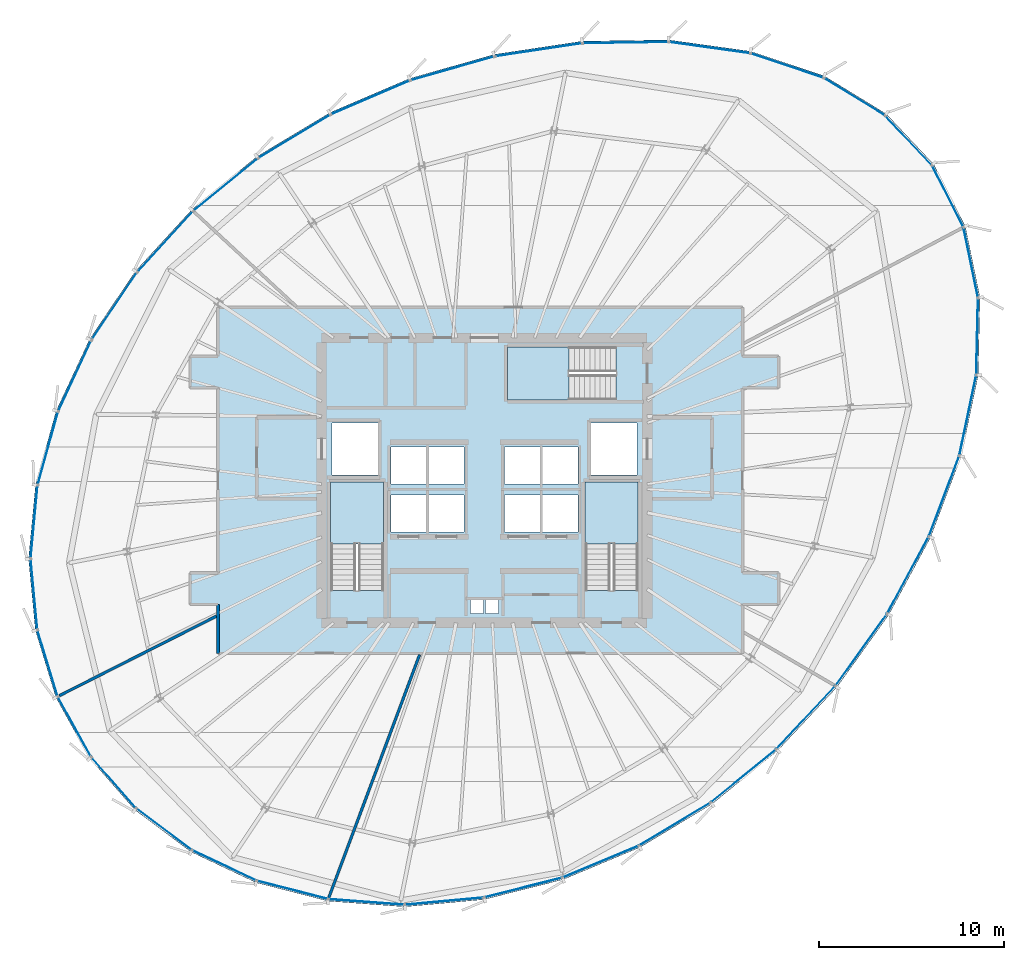
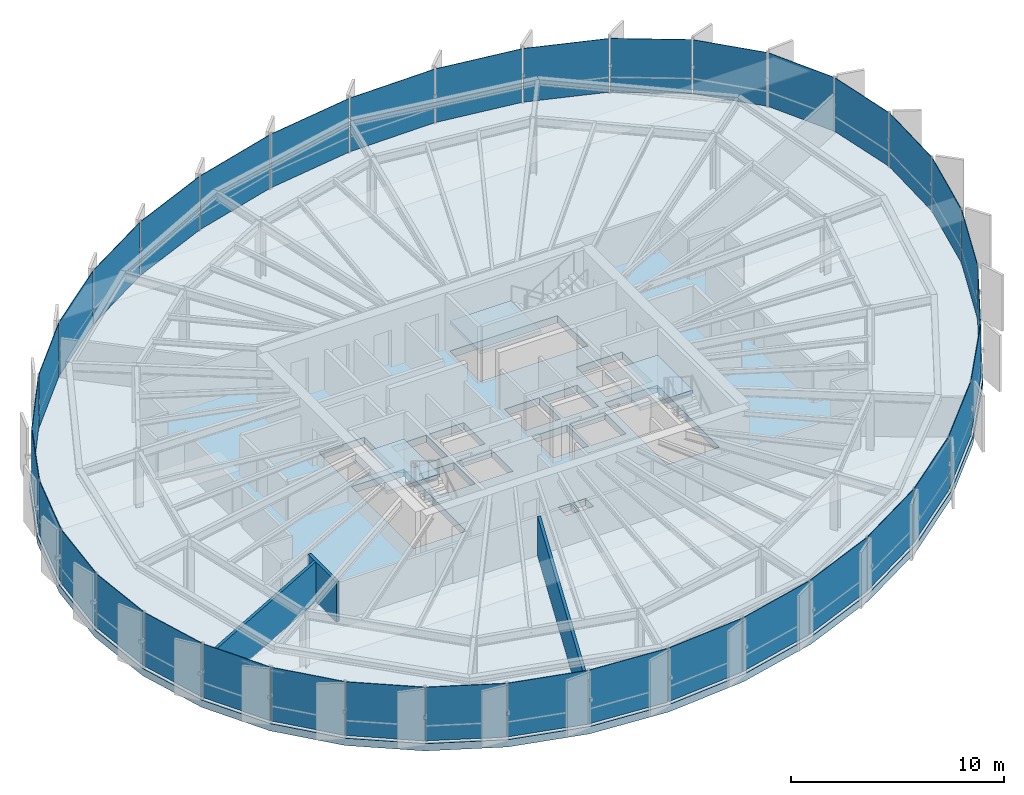
# One storey, part 29 of 36: 36 plates, 4 slabs, 3 walls, 9 elements without a shape of their own.
"""IFC4 building model written with IfcOpenShell, lengths in metres."""

from ifc_helpers import new_model, si_unit, direction, frame, frame_2d, origin, origin_2d, place, context, subcontext, project, spatial, polyline, rectangle, outline, extrude, source, transform, mapped, material, layer, layer_set, type_object, element, aggregate, save


model = new_model("IFC4")

# Units and contexts
model_context = context("Model", 3, precision=1e-05, world=origin(), true_north=direction((0.0, 1.0)))
body_context = subcontext(model_context, "Body", "Model", "MODEL_VIEW")
ifc_project = project(units=[si_unit("LENGTHUNIT", "METRE"), si_unit("AREAUNIT", "SQUARE_METRE"), si_unit("VOLUMEUNIT", "CUBIC_METRE"), si_unit("PLANEANGLEUNIT", "RADIAN"), si_unit("MASSUNIT", "GRAM", prefix="KILO"), si_unit("THERMODYNAMICTEMPERATUREUNIT", "KELVIN")], contexts=[model_context])

# Site, building, storey
site_placement = place(None, origin())
site = spatial("IfcSite", under=ifc_project, at=site_placement, CompositionType="ELEMENT")
building_placement = place(site_placement, origin())
building = spatial("IfcBuilding", under=site, at=building_placement, Name="Kethvar Cultural Tower", CompositionType="ELEMENT")
storey_placement = place(building_placement, frame((0.0, 0.0, 176.39990234375)))
storey = spatial("IfcBuildingStorey", under=building, at=storey_placement, Name="L45", CompositionType="ELEMENT", Elevation=176.39990234375)

# Stair, slab
ifc_material_1 = material(Name="Concrete C40/50", Category="concrete")
stair_type = type_object("IfcStairType", Name="ST-DOGLEG-135", PredefinedType="HALF_TURN_STAIR", material=ifc_material_1)
stair_1_placement = place(storey_placement, origin())
stair_1 = element("IfcStair", 1, at=stair_1_placement, inside=storey, type_object=stair_type, Name="L45 Core Exit Stair 1", PredefinedType="HALF_TURN_STAIR")
ifc_layer_1 = layer(ifc_material_1, 0.199951171875, Name="Concrete C40/50", Category="concrete")
ifc_layer_set_1 = layer_set([ifc_layer_1], Name="Concrete C40/50 (200 mm)")
slab_type_1 = type_object("IfcSlabType", Name="SL-STAIR-LANDING-200", PredefinedType="LANDING", material=ifc_layer_set_1)
slab_1_placement = place(storey_placement, frame((0.0, 0.0, 1.550048828125)))
slab_1 = element("IfcSlab", 2, at=slab_1_placement, type_object=slab_type_1, Name="ST-01 landing 1", PredefinedType="LANDING", context=body_context, shape_type="SweptSolid", body=[
    extrude(outline(polyline([(41.35009765625, 24.3701171875), (41.35009765625, 27.699951171875), (38.489990234375, 27.699951171875), (38.489990234375, 24.3701171875), (41.35009765625, 24.3701171875)])), origin(), (0.0, 0.0, 1.0), 0.199951171875),
])
aggregate(stair_1, [slab_1])

stair_2_placement = place(storey_placement, origin())
stair_2 = element("IfcStair", 3, at=stair_2_placement, inside=storey, type_object=stair_type, Name="L45 Core Exit Stair 2", PredefinedType="HALF_TURN_STAIR")
slab_2_placement = place(storey_placement, frame((0.0, 0.0, 1.550048828125)))
slab_2 = element("IfcSlab", 4, at=slab_2_placement, type_object=slab_type_1, Name="ST-02 landing 1", PredefinedType="LANDING", context=body_context, shape_type="SweptSolid", body=[
    extrude(outline(polyline([(55.110107421875, 24.3701171875), (55.110107421875, 27.699951171875), (52.25, 27.699951171875), (52.25, 24.3701171875), (55.110107421875, 24.3701171875)])), origin(), (0.0, 0.0, 1.0), 0.199951171875),
])
aggregate(stair_2, [slab_2])

stair_3_placement = place(storey_placement, origin())
stair_3 = element("IfcStair", 5, at=stair_3_placement, inside=storey, type_object=stair_type, Name="L45 Core Exit Stair 3", PredefinedType="HALF_TURN_STAIR")
slab_3_placement = place(storey_placement, frame((0.0, 0.0, 1.550048828125)))
slab_3 = element("IfcSlab", 6, at=slab_3_placement, type_object=slab_type_1, Name="ST-03 landing 1", PredefinedType="LANDING", context=body_context, shape_type="SweptSolid", body=[
    extrude(outline(polyline([(51.3798828125, 35.010009765625), (48.050048828125, 35.010009765625), (48.050048828125, 32.14990234375), (51.3798828125, 32.14990234375), (51.3798828125, 35.010009765625)])), origin(), (0.0, 0.0, 1.0), 0.199951171875),
])
aggregate(stair_3, [slab_3])

# Slab
ifc_material_2 = material(Name="Concrete C50/60", Category="concrete")
ifc_layer_2 = layer(ifc_material_2, 0.419921875, Name="Concrete C50/60", Category="concrete")
ifc_layer_set_2 = layer_set([ifc_layer_2], Name="Concrete C50/60 (420 mm)")
slab_type_2 = type_object("IfcSlabType", Name="SL-TRANS-420", PredefinedType="FLOOR", material=ifc_layer_set_2)
slab_4_placement = place(storey_placement, frame((0.0, 0.0, -0.419921875)))
element("IfcSlab", 7, at=slab_4_placement, inside=storey, type_object=slab_type_2, Name="L45 Structural Floor Slab", PredefinedType="FLOOR", context=body_context, shape_type="SweptSolid", body=[
    extrude(outline(polyline([(71.095703125, 44.875244140625), (68.524658203125, 47.60888671875), (65.1767578125, 49.658447265625), (61.195068359375, 50.990966796875), (56.760986328125, 51.608154296875), (52.076416015625, 51.53857421875), (47.343017578125, 50.826171875), (42.74462890625, 49.5205078125), (38.430419921875, 47.668212890625), (34.4990234375, 45.302490234375), (30.978515625, 42.430908203125), (27.938720703125, 39.11474609375), (25.471923828125, 35.454833984375), (23.6533203125, 31.5625), (22.537841796875, 27.5556640625), (22.15966796875, 23.556396484375), (22.5302734375, 19.685791015625), (23.63818359375, 16.06201171875), (25.44970703125, 12.794921875), (27.91015625, 9.9833984375), (30.944580078125, 7.71337890625), (34.460693359375, 6.053955078125), (38.3515625, 5.054931640625), (42.499267578125, 4.747314453125), (46.77783203125, 5.139892578125), (51.056884765625, 6.220947265625), (55.20654296875, 7.9580078125), (59.100830078125, 10.297607421875), (62.658447265625, 13.195068359375), (65.86279296875, 16.626708984375), (68.648681640625, 20.510986328125), (70.92236328125, 24.723388671875), (72.574951171875, 29.107421875), (73.49609375, 33.488525390625), (73.591064453125, 37.68603515625), (72.796630859375, 41.5302734375), (71.095703125, 44.875244140625)]), holes=[polyline([(38.489990234375, 21.85009765625), (38.489990234375, 27.699951171875), (41.35009765625, 27.699951171875), (41.35009765625, 21.85009765625), (38.489990234375, 21.85009765625)]), polyline([(52.25, 21.85009765625), (52.25, 27.699951171875), (55.110107421875, 27.699951171875), (55.110107421875, 21.85009765625), (52.25, 21.85009765625)]), polyline([(53.89990234375, 32.14990234375), (48.050048828125, 32.14990234375), (48.050048828125, 35.010009765625), (53.89990234375, 35.010009765625), (53.89990234375, 32.14990234375)]), polyline([(41.75, 27.0), (43.64990234375, 27.0), (43.64990234375, 25.0), (41.75, 25.0), (41.75, 27.0)]), polyline([(43.800048828125, 27.0), (45.699951171875, 27.0), (45.699951171875, 25.0), (43.800048828125, 25.0), (43.800048828125, 27.0)]), polyline([(47.89990234375, 27.0), (49.800048828125, 27.0), (49.800048828125, 25.0), (47.89990234375, 25.0), (47.89990234375, 27.0)]), polyline([(49.949951171875, 27.0), (51.85009765625, 27.0), (51.85009765625, 25.0), (49.949951171875, 25.0), (49.949951171875, 27.0)]), polyline([(41.75, 29.60009765625), (43.64990234375, 29.60009765625), (43.64990234375, 27.60009765625), (41.75, 27.60009765625), (41.75, 29.60009765625)]), polyline([(43.800048828125, 29.60009765625), (45.699951171875, 29.60009765625), (45.699951171875, 27.60009765625), (43.800048828125, 27.60009765625), (43.800048828125, 29.60009765625)]), polyline([(47.89990234375, 29.60009765625), (49.800048828125, 29.60009765625), (49.800048828125, 27.60009765625), (47.89990234375, 27.60009765625), (47.89990234375, 29.60009765625)]), polyline([(49.949951171875, 29.60009765625), (51.85009765625, 29.60009765625), (51.85009765625, 27.60009765625), (49.949951171875, 27.60009765625), (49.949951171875, 29.60009765625)]), polyline([(38.550048828125, 30.89990234375), (41.050048828125, 30.89990234375), (41.050048828125, 28.10009765625), (38.550048828125, 28.10009765625), (38.550048828125, 30.89990234375)]), polyline([(52.550048828125, 30.89990234375), (55.050048828125, 30.89990234375), (55.050048828125, 28.10009765625), (52.550048828125, 28.10009765625), (52.550048828125, 30.89990234375)]), polyline([(46.050048828125, 21.35009765625), (46.75, 21.35009765625), (46.75, 20.60009765625), (46.050048828125, 20.60009765625), (46.050048828125, 21.35009765625)]), polyline([(46.85009765625, 21.35009765625), (47.550048828125, 21.35009765625), (47.550048828125, 20.60009765625), (46.85009765625, 20.60009765625), (46.85009765625, 21.35009765625)])]), origin(), (0.0, 0.0, 1.0), 0.419921875),
])

# Curtain wall, plate
ifc_material_3 = material(Name="Aluminium 6063-T6", Category="aluminium")
ifc_layer_3 = layer(ifc_material_3, 0.179931640625, Name="Aluminium 6063-T6", Category="aluminium")
ifc_layer_set_3 = layer_set([ifc_layer_3], Name="Aluminium 6063-T6 (180 mm)")
curtain_wall_type = type_object("IfcCurtainWallType", Name="CW-SYS-04-Z34", PredefinedType="NOTDEFINED", material=ifc_layer_set_3)
curtain_wall_1_placement = place(storey_placement, origin())
curtain_wall_1 = element("IfcCurtainWall", 8, at=curtain_wall_1_placement, inside=storey, type_object=curtain_wall_type, Name="L45 Curtain Wall Run 01", PredefinedType="NOTDEFINED")
ifc_material_4 = material(Name="Insulated Low-E Solar Glass", Category="glass")
ifc_layer_4 = layer(ifc_material_4, 0.030029296875, Name="Insulated Low-E Solar Glass", Category="glass")
ifc_layer_set_4 = layer_set([ifc_layer_4], Name="Insulated Low-E Solar Glass (30 mm)")
plate_type = type_object("IfcPlateType", Name="CW-SYS-04-Z34-PNL", PredefinedType="CURTAIN_PANEL", material=ifc_layer_set_4)
shared_shape_1 = source(origin(), body_context, "Body", "SweptSolid", [
    extrude(rectangle(XDim=3.666259765625, YDim=0.030029296875, at=origin_2d()), origin(), (0.0, 0.0, 1.0), 3.080078125),
])
plate_1_placement = place(storey_placement, frame((69.72998046875, 46.166748046875, 0.090087890625), z_axis=(0.0, 0.0, 1.0), x_axis=(-0.68510671174, 0.728442718083, 0.0)))
plate_1 = element("IfcPlate", 9, at=plate_1_placement, type_object=plate_type, Name="CW-L45-R01 Vision Glazing Panel 1", PredefinedType="CURTAIN_PANEL", context=body_context, shape_type="MappedRepresentation", body=[
    mapped(shared_shape_1, transform((0.0, 0.0, 0.0), scale=1.0)),
])

curtain_wall_2_placement = place(storey_placement, origin())
curtain_wall_2 = element("IfcCurtainWall", 10, at=curtain_wall_2_placement, inside=storey, type_object=curtain_wall_type, Name="L45 Curtain Wall Run 06", PredefinedType="NOTDEFINED")
plate_2_placement = place(storey_placement, frame((71.84814453125, 43.15283203125, 0.090087890625), z_axis=(0.0, 0.0, 1.0), x_axis=(-0.453306122049, 0.891354901099, 0.0)))
plate_2 = element("IfcPlate", 11, at=plate_2_placement, type_object=plate_type, Name="CW-L45-R06 Vision Glazing Panel 6", PredefinedType="CURTAIN_PANEL", context=body_context, shape_type="MappedRepresentation", body=[
    mapped(shared_shape_1, transform((0.0, 0.0, 0.0), scale=1.0)),
])

# Plate
shared_shape_2 = source(origin(), body_context, "Body", "SweptSolid", [
    extrude(rectangle(XDim=3.839111328125, YDim=0.030029296875, at=origin_2d()), origin(), (0.0, 0.0, 1.0), 3.080078125),
])
plate_3_placement = place(storey_placement, frame((66.793212890625, 48.539794921875, 0.090087890625), z_axis=(0.0, 0.0, 1.0), x_axis=(-0.852868066189, 0.522126480535, 0.0)))
plate_3 = element("IfcPlate", 12, at=plate_3_placement, type_object=plate_type, Name="CW-L45-R01 Vision Glazing Panel 2", PredefinedType="CURTAIN_PANEL", context=body_context, shape_type="MappedRepresentation", body=[
    mapped(shared_shape_2, transform((0.0, 0.0, 0.0), scale=1.0)),
])

plate_4_placement = place(storey_placement, frame((73.086181640625, 39.5859375, 0.090087890625), z_axis=(0.0, 0.0, 1.0), x_axis=(-0.202342917277, 0.979314731753, 0.0)))
plate_4 = element("IfcPlate", 13, at=plate_4_placement, type_object=plate_type, Name="CW-L45-R06 Vision Glazing Panel 5", PredefinedType="CURTAIN_PANEL", context=body_context, shape_type="MappedRepresentation", body=[
    mapped(shared_shape_2, transform((0.0, 0.0, 0.0), scale=1.0)),
])

shared_shape_3 = source(origin(), body_context, "Body", "SweptSolid", [
    extrude(rectangle(XDim=4.1123046875, YDim=0.030029296875, at=origin_2d()), origin(), (0.0, 0.0, 1.0), 3.080078125),
])
plate_5_placement = place(storey_placement, frame((63.15087890625, 50.22021484375, 0.090087890625), z_axis=(0.0, 0.0, 1.0), x_axis=(-0.948301500851, 0.317370861112, 0.0)))
plate_5 = element("IfcPlate", 14, at=plate_5_placement, type_object=plate_type, Name="CW-L45-R01 Vision Glazing Panel 3", PredefinedType="CURTAIN_PANEL", context=body_context, shape_type="MappedRepresentation", body=[
    mapped(shared_shape_3, transform((0.0, 0.0, 0.0), scale=1.0)),
])

plate_6_placement = place(storey_placement, frame((73.43359375, 35.589599609375, 0.090087890625), z_axis=(0.0, 0.0, 1.0), x_axis=(0.022634987141, 0.999743795858, 0.0)))
plate_6 = element("IfcPlate", 15, at=plate_6_placement, type_object=plate_type, Name="CW-L45-R06 Vision Glazing Panel 4", PredefinedType="CURTAIN_PANEL", context=body_context, shape_type="MappedRepresentation", body=[
    mapped(shared_shape_3, transform((0.0, 0.0, 0.0), scale=1.0)),
])

shared_shape_4 = source(origin(), body_context, "Body", "SweptSolid", [
    extrude(rectangle(XDim=4.390380859375, YDim=0.030029296875, at=origin_2d()), origin(), (0.0, 0.0, 1.0), 3.080078125),
])
plate_7_placement = place(storey_placement, frame((58.962890625, 51.190673828125, 0.090087890625), z_axis=(0.0, 0.0, 1.0), x_axis=(-0.9904469909, 0.137894010807, 0.0)))
plate_7 = element("IfcPlate", 16, at=plate_7_placement, type_object=plate_type, Name="CW-L45-R01 Vision Glazing Panel 4", PredefinedType="CURTAIN_PANEL", context=body_context, shape_type="MappedRepresentation", body=[
    mapped(shared_shape_4, transform((0.0, 0.0, 0.0), scale=1.0)),
])

plate_8_placement = place(storey_placement, frame((72.927734375, 31.32080078125, 0.090087890625), z_axis=(0.0, 0.0, 1.0), x_axis=(0.205743051022, 0.978606047884, 0.0)))
plate_8 = element("IfcPlate", 17, at=plate_8_placement, type_object=plate_type, Name="CW-L45-R06 Vision Glazing Panel 3", PredefinedType="CURTAIN_PANEL", context=body_context, shape_type="MappedRepresentation", body=[
    mapped(shared_shape_4, transform((0.0, 0.0, 0.0), scale=1.0)),
])

shared_shape_5 = source(origin(), body_context, "Body", "SweptSolid", [
    extrude(rectangle(XDim=4.598876953125, YDim=0.030029296875, at=origin_2d()), origin(), (0.0, 0.0, 1.0), 3.080078125),
])
plate_9_placement = place(storey_placement, frame((54.42041015625, 51.46337890625, 0.090087890625), z_axis=(0.0, 0.0, 1.0), x_axis=(-0.999889440536, -0.014869657209, 0.0)))
plate_9 = element("IfcPlate", 18, at=plate_9_placement, type_object=plate_type, Name="CW-L45-R01 Vision Glazing Panel 5", PredefinedType="CURTAIN_PANEL", context=body_context, shape_type="MappedRepresentation", body=[
    mapped(shared_shape_5, transform((0.0, 0.0, 0.0), scale=1.0)),
])

plate_10_placement = place(storey_placement, frame((71.645751953125, 26.9541015625, 0.090087890625), z_axis=(0.0, 0.0, 1.0), x_axis=(0.352707375758, 0.93573367316, 0.0)))
plate_10 = element("IfcPlate", 19, at=plate_10_placement, type_object=plate_type, Name="CW-L45-R06 Vision Glazing Panel 2", PredefinedType="CURTAIN_PANEL", context=body_context, shape_type="MappedRepresentation", body=[
    mapped(shared_shape_5, transform((0.0, 0.0, 0.0), scale=1.0)),
])

shared_shape_6 = source(origin(), body_context, "Body", "SweptSolid", [
    extrude(rectangle(XDim=4.7001953125, YDim=0.030029296875, at=origin_2d()), origin(), (0.0, 0.0, 1.0), 3.080078125),
])
plate_11_placement = place(storey_placement, frame((49.72607421875, 51.073486328125, 0.090087890625), z_axis=(0.0, 0.0, 1.0), x_axis=(-0.988863133133, -0.14882776599, 0.0)))
plate_11 = element("IfcPlate", 20, at=plate_11_placement, type_object=plate_type, Name="CW-L45-R01 Vision Glazing Panel 6", PredefinedType="CURTAIN_PANEL", context=body_context, shape_type="MappedRepresentation", body=[
    mapped(shared_shape_6, transform((0.0, 0.0, 0.0), scale=1.0)),
])

aggregate(curtain_wall_1, [plate_1, plate_3, plate_5, plate_7, plate_9, plate_11])

plate_12_placement = place(storey_placement, frame((69.688720703125, 22.66943359375, 0.090087890625), z_axis=(0.0, 0.0, 1.0), x_axis=(0.474994624031, 0.879988697167, 0.0)))
plate_12 = element("IfcPlate", 21, at=plate_12_placement, type_object=plate_type, Name="CW-L45-R06 Vision Glazing Panel 1", PredefinedType="CURTAIN_PANEL", context=body_context, shape_type="MappedRepresentation", body=[
    mapped(shared_shape_6, transform((0.0, 0.0, 0.0), scale=1.0)),
])

aggregate(curtain_wall_2, [plate_12, plate_10, plate_8, plate_6, plate_4, plate_2])

# Curtain wall, plate
curtain_wall_3_placement = place(storey_placement, origin())
curtain_wall_3 = element("IfcCurtainWall", 22, at=curtain_wall_3_placement, inside=storey, type_object=curtain_wall_type, Name="L45 Curtain Wall Run 02", PredefinedType="NOTDEFINED")
shared_shape_7 = source(origin(), body_context, "Body", "SweptSolid", [
    extrude(rectangle(XDim=4.693603515625, YDim=0.030029296875, at=origin_2d()), origin(), (0.0, 0.0, 1.0), 3.080078125),
])
plate_13_placement = place(storey_placement, frame((45.073974609375, 50.0673828125, 0.090087890625), z_axis=(0.0, 0.0, 1.0), x_axis=(-0.961980017834, -0.273119836863, 0.0)))
plate_13 = element("IfcPlate", 23, at=plate_13_placement, type_object=plate_type, Name="CW-L45-R02 Vision Glazing Panel 1", PredefinedType="CURTAIN_PANEL", context=body_context, shape_type="MappedRepresentation", body=[
    mapped(shared_shape_7, transform((0.0, 0.0, 0.0), scale=1.0)),
])

curtain_wall_4_placement = place(storey_placement, origin())
curtain_wall_4 = element("IfcCurtainWall", 24, at=curtain_wall_4_placement, inside=storey, type_object=curtain_wall_type, Name="L45 Curtain Wall Run 05", PredefinedType="NOTDEFINED")
plate_14_placement = place(storey_placement, frame((67.166259765625, 18.633056640625, 0.090087890625), z_axis=(0.0, 0.0, 1.0), x_axis=(0.582832312683, 0.812592453382, 0.0)))
plate_14 = element("IfcPlate", 25, at=plate_14_placement, type_object=plate_type, Name="CW-L45-R05 Vision Glazing Panel 6", PredefinedType="CURTAIN_PANEL", context=body_context, shape_type="MappedRepresentation", body=[
    mapped(shared_shape_7, transform((0.0, 0.0, 0.0), scale=1.0)),
])

# Plate
shared_shape_8 = source(origin(), body_context, "Body", "SweptSolid", [
    extrude(rectangle(XDim=4.60888671875, YDim=0.030029296875, at=origin_2d()), origin(), (0.0, 0.0, 1.0), 3.080078125),
])
plate_15_placement = place(storey_placement, frame((40.630859375, 48.493408203125, 0.090087890625), z_axis=(0.0, 0.0, 1.0), x_axis=(-0.918873864957, -0.394551416547, 0.0)))
plate_15 = element("IfcPlate", 26, at=plate_15_placement, type_object=plate_type, Name="CW-L45-R02 Vision Glazing Panel 2", PredefinedType="CURTAIN_PANEL", context=body_context, shape_type="MappedRepresentation", body=[
    mapped(shared_shape_8, transform((0.0, 0.0, 0.0), scale=1.0)),
])

shared_shape_9 = source(origin(), body_context, "Body", "SweptSolid", [
    extrude(rectangle(XDim=4.501953125, YDim=0.030029296875, at=origin_2d()), origin(), (0.0, 0.0, 1.0), 3.080078125),
])
plate_16_placement = place(storey_placement, frame((36.521484375, 46.39111328125, 0.090087890625), z_axis=(0.0, 0.0, 1.0), x_axis=(-0.85682552602, -0.515606456476, 0.0)))
plate_16 = element("IfcPlate", 27, at=plate_16_placement, type_object=plate_type, Name="CW-L45-R02 Vision Glazing Panel 3", PredefinedType="CURTAIN_PANEL", context=body_context, shape_type="MappedRepresentation", body=[
    mapped(shared_shape_9, transform((0.0, 0.0, 0.0), scale=1.0)),
])

shared_shape_10 = source(origin(), body_context, "Body", "SweptSolid", [
    extrude(rectangle(XDim=4.456787109375, YDim=0.030029296875, at=origin_2d()), origin(), (0.0, 0.0, 1.0), 3.080078125),
])
plate_17_placement = place(storey_placement, frame((32.808349609375, 43.781494140625, 0.090087890625), z_axis=(0.0, 0.0, 1.0), x_axis=(-0.774922426247, -0.632056352945, 0.0)))
plate_17 = element("IfcPlate", 28, at=plate_17_placement, type_object=plate_type, Name="CW-L45-R02 Vision Glazing Panel 4", PredefinedType="CURTAIN_PANEL", context=body_context, shape_type="MappedRepresentation", body=[
    mapped(shared_shape_10, transform((0.0, 0.0, 0.0), scale=1.0)),
])

plate_18_placement = place(storey_placement, frame((57.09716796875, 9.221923828125, 0.090087890625), z_axis=(0.0, 0.0, 1.0), x_axis=(0.857194266858, 0.514993193029, 0.0)))
plate_18 = element("IfcPlate", 29, at=plate_18_placement, type_object=plate_type, Name="CW-L45-R05 Vision Glazing Panel 3", PredefinedType="CURTAIN_PANEL", context=body_context, shape_type="MappedRepresentation", body=[
    mapped(shared_shape_10, transform((0.0, 0.0, 0.0), scale=1.0)),
])

shared_shape_11 = source(origin(), body_context, "Body", "SweptSolid", [
    extrude(rectangle(XDim=4.412109375, YDim=0.030029296875, at=origin_2d()), origin(), (0.0, 0.0, 1.0), 3.080078125),
])
plate_19_placement = place(storey_placement, frame((29.539794921875, 40.698486328125, 0.090087890625), z_axis=(0.0, 0.0, 1.0), x_axis=(-0.675731742251, -0.737147619215, 0.0)))
plate_19 = element("IfcPlate", 30, at=plate_19_placement, type_object=plate_type, Name="CW-L45-R02 Vision Glazing Panel 5", PredefinedType="CURTAIN_PANEL", context=body_context, shape_type="MappedRepresentation", body=[
    mapped(shared_shape_11, transform((0.0, 0.0, 0.0), scale=1.0)),
])

shared_shape_12 = source(origin(), body_context, "Body", "SweptSolid", [
    extrude(rectangle(XDim=4.3271484375, YDim=0.030029296875, at=origin_2d()), origin(), (0.0, 0.0, 1.0), 3.080078125),
])
plate_20_placement = place(storey_placement, frame((26.796630859375, 37.223388671875, 0.090087890625), z_axis=(0.0, 0.0, 1.0), x_axis=(-0.558889007777, -0.829242471769, 0.0)))
plate_20 = element("IfcPlate", 31, at=plate_20_placement, type_object=plate_type, Name="CW-L45-R02 Vision Glazing Panel 6", PredefinedType="CURTAIN_PANEL", context=body_context, shape_type="MappedRepresentation", body=[
    mapped(shared_shape_12, transform((0.0, 0.0, 0.0), scale=1.0)),
])

aggregate(curtain_wall_3, [plate_13, plate_15, plate_16, plate_17, plate_19, plate_20])

plate_21_placement = place(storey_placement, frame((48.890380859375, 5.787109375, 0.090087890625), z_axis=(0.0, 0.0, 1.0), x_axis=(0.96953519463, 0.244952049131, 0.0)))
plate_21 = element("IfcPlate", 32, at=plate_21_placement, type_object=plate_type, Name="CW-L45-R05 Vision Glazing Panel 1", PredefinedType="CURTAIN_PANEL", context=body_context, shape_type="MappedRepresentation", body=[
    mapped(shared_shape_12, transform((0.0, 0.0, 0.0), scale=1.0)),
])

# Curtain wall, plate
curtain_wall_5_placement = place(storey_placement, origin())
curtain_wall_5 = element("IfcCurtainWall", 33, at=curtain_wall_5_placement, inside=storey, type_object=curtain_wall_type, Name="L45 Curtain Wall Run 03", PredefinedType="NOTDEFINED")
shared_shape_13 = source(origin(), body_context, "Body", "SweptSolid", [
    extrude(rectangle(XDim=4.2099609375, YDim=0.030029296875, at=origin_2d()), origin(), (0.0, 0.0, 1.0), 3.080078125),
])
plate_22_placement = place(storey_placement, frame((24.662353515625, 33.462158203125, 0.090087890625), z_axis=(0.0, 0.0, 1.0), x_axis=(-0.423314131471, -0.905982972299, 0.0)))
plate_22 = element("IfcPlate", 34, at=plate_22_placement, type_object=plate_type, Name="CW-L45-R03 Vision Glazing Panel 1", PredefinedType="CURTAIN_PANEL", context=body_context, shape_type="MappedRepresentation", body=[
    mapped(shared_shape_13, transform((0.0, 0.0, 0.0), scale=1.0)),
])

curtain_wall_6_placement = place(storey_placement, origin())
curtain_wall_6 = element("IfcCurtainWall", 35, at=curtain_wall_6_placement, inside=storey, type_object=curtain_wall_type, Name="L45 Curtain Wall Run 04", PredefinedType="NOTDEFINED")
plate_23_placement = place(storey_placement, frame((44.62841796875, 5.052978515625, 0.090087890625), z_axis=(0.0, 0.0, 1.0), x_axis=(0.995814504142, 0.091397337714, 0.0)))
plate_23 = element("IfcPlate", 36, at=plate_23_placement, type_object=plate_type, Name="CW-L45-R04 Vision Glazing Panel 6", PredefinedType="CURTAIN_PANEL", context=body_context, shape_type="MappedRepresentation", body=[
    mapped(shared_shape_13, transform((0.0, 0.0, 0.0), scale=1.0)),
])

# Plate
shared_shape_14 = source(origin(), body_context, "Body", "SweptSolid", [
    extrude(rectangle(XDim=4.07275390625, YDim=0.030029296875, at=origin_2d()), origin(), (0.0, 0.0, 1.0), 3.080078125),
])
plate_24_placement = place(storey_placement, frame((23.20166015625, 29.529541015625, 0.090087890625), z_axis=(0.0, 0.0, 1.0), x_axis=(-0.268180085639, -0.963368798367, 0.0)))
plate_24 = element("IfcPlate", 37, at=plate_24_placement, type_object=plate_type, Name="CW-L45-R03 Vision Glazing Panel 2", PredefinedType="CURTAIN_PANEL", context=body_context, shape_type="MappedRepresentation", body=[
    mapped(shared_shape_14, transform((0.0, 0.0, 0.0), scale=1.0)),
])

plate_25_placement = place(storey_placement, frame((40.43359375, 5.0107421875, 0.090087890625), z_axis=(0.0, 0.0, 1.0), x_axis=(0.997257940254, -0.074004057994, 0.0)))
plate_25 = element("IfcPlate", 38, at=plate_25_placement, type_object=plate_type, Name="CW-L45-R04 Vision Glazing Panel 5", PredefinedType="CURTAIN_PANEL", context=body_context, shape_type="MappedRepresentation", body=[
    mapped(shared_shape_14, transform((0.0, 0.0, 0.0), scale=1.0)),
])

shared_shape_15 = source(origin(), body_context, "Body", "SweptSolid", [
    extrude(rectangle(XDim=3.930908203125, YDim=0.030029296875, at=origin_2d()), origin(), (0.0, 0.0, 1.0), 3.080078125),
])
plate_26_placement = place(storey_placement, frame((22.458251953125, 25.545654296875, 0.090087890625), z_axis=(0.0, 0.0, 1.0), x_axis=(-0.09414306493, -0.995558678997, 0.0)))
plate_26 = element("IfcPlate", 39, at=plate_26_placement, type_object=plate_type, Name="CW-L45-R03 Vision Glazing Panel 3", PredefinedType="CURTAIN_PANEL", context=body_context, shape_type="MappedRepresentation", body=[
    mapped(shared_shape_15, transform((0.0, 0.0, 0.0), scale=1.0)),
])

plate_27_placement = place(storey_placement, frame((36.43359375, 5.660888671875, 0.090087890625), z_axis=(0.0, 0.0, 1.0), x_axis=(0.968591841453, -0.248656077083, 0.0)))
plate_27 = element("IfcPlate", 40, at=plate_27_placement, type_object=plate_type, Name="CW-L45-R04 Vision Glazing Panel 4", PredefinedType="CURTAIN_PANEL", context=body_context, shape_type="MappedRepresentation", body=[
    mapped(shared_shape_15, transform((0.0, 0.0, 0.0), scale=1.0)),
])

shared_shape_16 = source(origin(), body_context, "Body", "SweptSolid", [
    extrude(rectangle(XDim=3.8017578125, YDim=0.030029296875, at=origin_2d()), origin(), (0.0, 0.0, 1.0), 3.080078125),
])
plate_28_placement = place(storey_placement, frame((22.45458984375, 21.631591796875, 0.090087890625), z_axis=(0.0, 0.0, 1.0), x_axis=(0.095289803488, -0.995449573485, 0.0)))
plate_28 = element("IfcPlate", 41, at=plate_28_placement, type_object=plate_type, Name="CW-L45-R03 Vision Glazing Panel 4", PredefinedType="CURTAIN_PANEL", context=body_context, shape_type="MappedRepresentation", body=[
    mapped(shared_shape_16, transform((0.0, 0.0, 0.0), scale=1.0)),
])

plate_29_placement = place(storey_placement, frame((32.74951171875, 6.983154296875, 0.090087890625), z_axis=(0.0, 0.0, 1.0), x_axis=(0.904328540152, -0.426837078365, 0.0)))
plate_29 = element("IfcPlate", 42, at=plate_29_placement, type_object=plate_type, Name="CW-L45-R04 Vision Glazing Panel 3", PredefinedType="CURTAIN_PANEL", context=body_context, shape_type="MappedRepresentation", body=[
    mapped(shared_shape_16, transform((0.0, 0.0, 0.0), scale=1.0)),
])

shared_shape_17 = source(origin(), body_context, "Body", "SweptSolid", [
    extrude(rectangle(XDim=3.702880859375, YDim=0.030029296875, at=origin_2d()), origin(), (0.0, 0.0, 1.0), 3.080078125),
])
plate_30_placement = place(storey_placement, frame((23.189208984375, 17.906005859375, 0.090087890625), z_axis=(0.0, 0.0, 1.0), x_axis=(0.292355014012, -0.956309858666, 0.0)))
plate_30 = element("IfcPlate", 43, at=plate_30_placement, type_object=plate_type, Name="CW-L45-R03 Vision Glazing Panel 5", PredefinedType="CURTAIN_PANEL", context=body_context, shape_type="MappedRepresentation", body=[
    mapped(shared_shape_17, transform((0.0, 0.0, 0.0), scale=1.0)),
])

shared_shape_18 = source(origin(), body_context, "Body", "SweptSolid", [
    extrude(rectangle(XDim=3.6494140625, YDim=0.030029296875, at=origin_2d()), origin(), (0.0, 0.0, 1.0), 3.080078125),
])
plate_31_placement = place(storey_placement, frame((24.64013671875, 14.481689453125, 0.090087890625), z_axis=(0.0, 0.0, 1.0), x_axis=(0.484931735469, -0.874552006421, 0.0)))
plate_31 = element("IfcPlate", 44, at=plate_31_placement, type_object=plate_type, Name="CW-L45-R03 Vision Glazing Panel 6", PredefinedType="CURTAIN_PANEL", context=body_context, shape_type="MappedRepresentation", body=[
    mapped(shared_shape_18, transform((0.0, 0.0, 0.0), scale=1.0)),
])

aggregate(curtain_wall_5, [plate_22, plate_24, plate_26, plate_28, plate_30, plate_31])

plate_32_placement = place(storey_placement, frame((26.7626953125, 11.461669921875, 0.090087890625), z_axis=(0.0, 0.0, 1.0), x_axis=(0.658584396758, -0.75250687196, 0.0)))
plate_32 = element("IfcPlate", 45, at=plate_32_placement, type_object=plate_type, Name="CW-L45-R04 Vision Glazing Panel 1", PredefinedType="CURTAIN_PANEL", context=body_context, shape_type="MappedRepresentation", body=[
    mapped(shared_shape_18, transform((0.0, 0.0, 0.0), scale=1.0)),
])

shared_shape_19 = source(origin(), body_context, "Body", "SweptSolid", [
    extrude(rectangle(XDim=3.703125, YDim=0.030029296875, at=origin_2d()), origin(), (0.0, 0.0, 1.0), 3.080078125),
])
plate_33_placement = place(storey_placement, frame((29.4931640625, 8.9365234375, 0.090087890625), z_axis=(0.0, 0.0, 1.0), x_axis=(0.800731370949, -0.599023598516, 0.0)))
plate_33 = element("IfcPlate", 46, at=plate_33_placement, type_object=plate_type, Name="CW-L45-R04 Vision Glazing Panel 2", PredefinedType="CURTAIN_PANEL", context=body_context, shape_type="MappedRepresentation", body=[
    mapped(shared_shape_19, transform((0.0, 0.0, 0.0), scale=1.0)),
])

aggregate(curtain_wall_6, [plate_32, plate_33, plate_29, plate_27, plate_25, plate_23])

shared_shape_20 = source(origin(), body_context, "Body", "SweptSolid", [
    extrude(rectangle(XDim=4.412353515625, YDim=0.030029296875, at=origin_2d()), origin(), (0.0, 0.0, 1.0), 3.080078125),
])
plate_34_placement = place(storey_placement, frame((53.089111328125, 7.19091796875, 0.090087890625), z_axis=(0.0, 0.0, 1.0), x_axis=(0.922457245251, 0.386099249785, 0.0)))
plate_34 = element("IfcPlate", 47, at=plate_34_placement, type_object=plate_type, Name="CW-L45-R05 Vision Glazing Panel 2", PredefinedType="CURTAIN_PANEL", context=body_context, shape_type="MappedRepresentation", body=[
    mapped(shared_shape_20, transform((0.0, 0.0, 0.0), scale=1.0)),
])

shared_shape_21 = source(origin(), body_context, "Body", "SweptSolid", [
    extrude(rectangle(XDim=4.501708984375, YDim=0.030029296875, at=origin_2d()), origin(), (0.0, 0.0, 1.0), 3.080078125),
])
plate_35_placement = place(storey_placement, frame((60.810302734375, 11.83154296875, 0.090087890625), z_axis=(0.0, 0.0, 1.0), x_axis=(0.775374517846, 0.631501668308, 0.0)))
plate_35 = element("IfcPlate", 48, at=plate_35_placement, type_object=plate_type, Name="CW-L45-R05 Vision Glazing Panel 4", PredefinedType="CURTAIN_PANEL", context=body_context, shape_type="MappedRepresentation", body=[
    mapped(shared_shape_21, transform((0.0, 0.0, 0.0), scale=1.0)),
])

shared_shape_22 = source(origin(), body_context, "Body", "SweptSolid", [
    extrude(rectangle(XDim=4.608642578125, YDim=0.030029296875, at=origin_2d()), origin(), (0.0, 0.0, 1.0), 3.080078125),
])
plate_36_placement = place(storey_placement, frame((64.180419921875, 14.986083984375, 0.090087890625), z_axis=(0.0, 0.0, 1.0), x_axis=(0.682470505439, 0.73091313383, 0.0)))
plate_36 = element("IfcPlate", 49, at=plate_36_placement, type_object=plate_type, Name="CW-L45-R05 Vision Glazing Panel 5", PredefinedType="CURTAIN_PANEL", context=body_context, shape_type="MappedRepresentation", body=[
    mapped(shared_shape_22, transform((0.0, 0.0, 0.0), scale=1.0)),
])

aggregate(curtain_wall_4, [plate_21, plate_34, plate_18, plate_35, plate_36, plate_14])

# Walls
ifc_material_5 = material(Name="Gypsum Fireboard Partition")
ifc_layer_5 = layer(ifc_material_5, 0.14990234375, Name="Gypsum Fireboard Partition")
ifc_layer_set_5 = layer_set([ifc_layer_5], Name="Gypsum Fireboard Partition (150 mm)")
wall_type_1 = type_object("IfcWallType", Name="WL-FIRE-150", PredefinedType="PARTITIONING", material=ifc_layer_set_5)
wall_1_placement = place(storey_placement, frame((32.39990234375, 21.10009765625, 0.0), z_axis=(0.0, 0.0, 1.0), x_axis=(0.0, -1.0, 0.0)))
element("IfcWall", 50, at=wall_1_placement, inside=storey, type_object=wall_type_1, Name="L45 Corridor Rated Wall W1", PredefinedType="PARTITIONING", context=body_context, shape_type="SweptSolid", body=[
    extrude(rectangle(XDim=2.650146484375, YDim=0.14990234375, at=frame_2d((1.3251953125, 0.0))), origin(), (0.0, 0.0, 1.0), 2.280029296875),
])
ifc_material_6 = material(Name="Gypsum Acoustic Partition")
ifc_layer_6 = layer(ifc_material_6, 0.14990234375, Name="Gypsum Acoustic Partition")
ifc_layer_set_6 = layer_set([ifc_layer_6], Name="Gypsum Acoustic Partition (150 mm)")
wall_type_2 = type_object("IfcWallType", Name="WL-PART-150", PredefinedType="PARTITIONING", material=ifc_layer_set_6)
wall_2_placement = place(storey_placement, frame((32.32861328125, 20.46630859375, 0.0), z_axis=(0.0, 0.0, 1.0), x_axis=(-0.8921776688, -0.451684632564, 0.0)))
element("IfcWall", 51, at=wall_2_placement, inside=storey, type_object=wall_type_2, Name="L45 Radial Partition Wall 01", PredefinedType="PARTITIONING", context=body_context, shape_type="SweptSolid", body=[
    extrude(rectangle(XDim=9.532958984375, YDim=0.14990234375, at=frame_2d((4.7666015625, 0.0))), origin(), (0.0, 0.0, 1.0), 2.280029296875),
])
wall_3_placement = place(storey_placement, frame((43.299072265625, 18.375, 0.0), z_axis=(0.0, 0.0, 1.0), x_axis=(-0.350217655684, -0.936668347734, 0.0)))
element("IfcWall", 52, at=wall_3_placement, inside=storey, type_object=wall_type_2, Name="L45 Radial Partition Wall 02", PredefinedType="PARTITIONING", context=body_context, shape_type="SweptSolid", body=[
    extrude(rectangle(XDim=14.003662109375, YDim=0.14990234375, at=frame_2d((7.001953125, 0.0))), origin(), (0.0, 0.0, 1.0), 2.280029296875),
])

save(model, "model.ifc")
